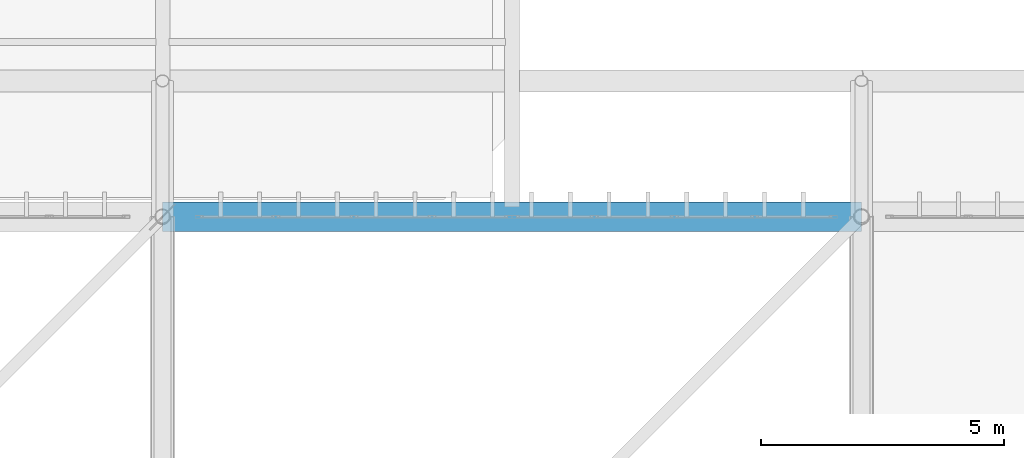
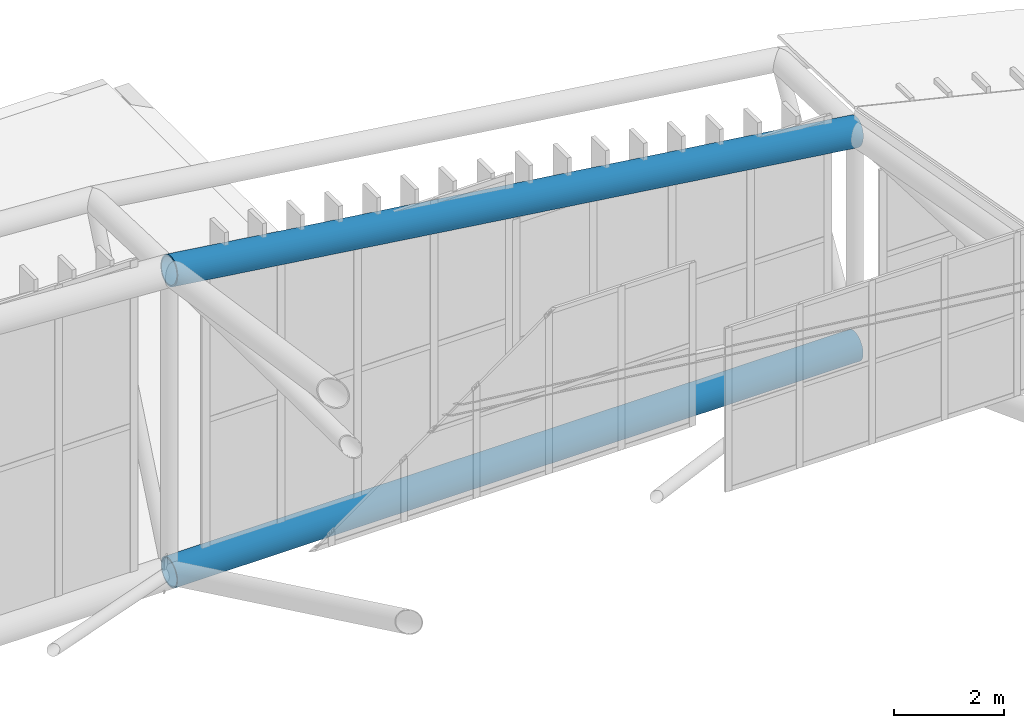
# One storey, part 331 of 397: 2 beams.
"""IFC4 building model written with IfcOpenShell, lengths in metres."""

from ifc_helpers import new_model, si_unit, direction, frame, origin, origin_2d, place, context, subcontext, project, spatial, hollow_circle, extrude, material, material_profile, profile_set, type_object, element, save


model = new_model("IFC4")

# Units and contexts
model_context = context("Model", 3, precision=1e-05, world=origin(), true_north=direction((0.0, 1.0)))
body_context = subcontext(model_context, "Body", "Model", "MODEL_VIEW")
ifc_project = project(units=[si_unit("LENGTHUNIT", "METRE"), si_unit("AREAUNIT", "SQUARE_METRE"), si_unit("VOLUMEUNIT", "CUBIC_METRE"), si_unit("PLANEANGLEUNIT", "RADIAN"), si_unit("MASSUNIT", "GRAM", prefix="KILO")], contexts=[model_context])

# Site, building, storey
site_placement = place(None, origin())
site = spatial("IfcSite", under=ifc_project, at=site_placement, CompositionType="ELEMENT")
building_placement = place(site_placement, origin())
building = spatial("IfcBuilding", under=site, at=building_placement, Name="Qandorah Velis Arena", CompositionType="ELEMENT")
storey_placement = place(building_placement, frame((0.0, 0.0, 27.5)))
storey = spatial("IfcBuildingStorey", under=building, at=storey_placement, Name="RF", CompositionType="ELEMENT", Elevation=27.5)

# Beams
ifc_material = material(Name="Steel S460", Category="steel")
ifc_material_profile_1 = material_profile(ifc_material, hollow_circle(Radius=0.304931640625, WallThickness=0.02490234375, at=origin_2d()), Name="CHS 610x25")
ifc_profile_set_1 = profile_set([ifc_material_profile_1], Name="Steel S460")
beam_type_1 = type_object("IfcBeamType", Name="STR-SFC-CHS610X25", PredefinedType="USERDEFINED", material=ifc_profile_set_1)
beam_1_placement = place(storey_placement, frame((86.39990234375, 115.199951171875, 0.10009765625), z_axis=(1.0, 0.0, 0.0), x_axis=(0.0, 1.0, 0.0)))
element("IfcBeam", 1, at=beam_1_placement, inside=storey, type_object=beam_type_1, Name="Space frame roof truss bottom chord X 5.7", ObjectType="ROOF TRUSS", PredefinedType="USERDEFINED", context=body_context, shape_type="SweptSolid", body=[
    extrude(hollow_circle(Radius=0.304931640625, WallThickness=0.02490234375, at=origin_2d()), origin(), (0.0, 0.0, 1.0), 14.400146484375),
])
ifc_material_profile_2 = material_profile(ifc_material, hollow_circle(Radius=0.304931640625, WallThickness=0.031982421875, at=origin_2d()), Name="CHS 610x32")
ifc_profile_set_2 = profile_set([ifc_material_profile_2], Name="Steel S460")
beam_type_2 = type_object("IfcBeamType", Name="STR-SFC-CHS610X32", PredefinedType="USERDEFINED", material=ifc_profile_set_2)
beam_2_placement = place(storey_placement, frame((86.39990234375, 115.199951171875, 6.79931640625), z_axis=(0.990978323576, 0.0, -0.134022245175), x_axis=(0.0, 1.0, 0.0)))
element("IfcBeam", 2, at=beam_2_placement, inside=storey, type_object=beam_type_2, Name="Space frame roof truss top chord X 5.7", ObjectType="ROOF TRUSS", PredefinedType="USERDEFINED", context=body_context, shape_type="SweptSolid", body=[
    extrude(hollow_circle(Radius=0.304931640625, WallThickness=0.031982421875, at=origin_2d()), origin(), (0.0, 0.0, 1.0), 14.53125),
])

save(model, "model.ifc")
